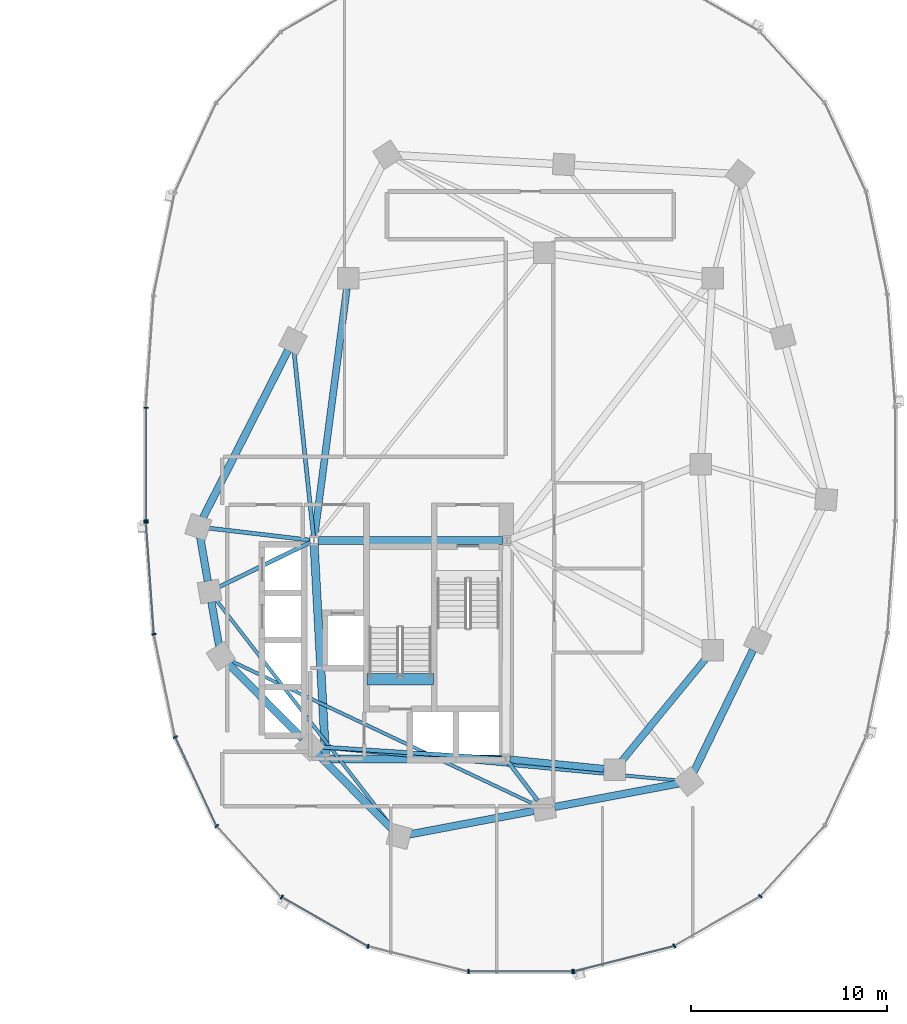
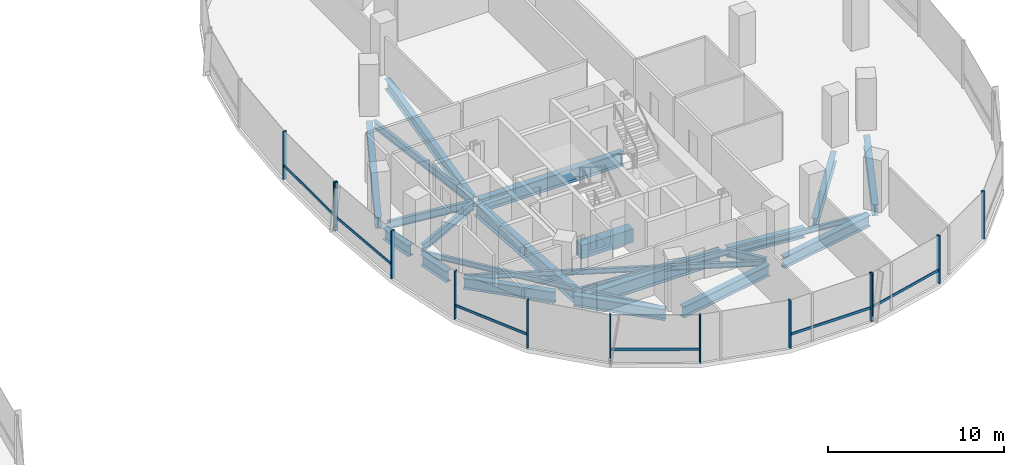
# One storey, part 5 of 20: 23 beams, 19 members, 3 elements without a shape of their own.
"""IFC4 building model written with IfcOpenShell, lengths in metres."""

from ifc_helpers import new_model, si_unit, direction, frame, origin, origin_2d, place, context, subcontext, project, spatial, rectangle, i_section, extrude, material, material_profile, profile_set, type_object, element, aggregate, save


model = new_model("IFC4")

# Units and contexts
model_context = context("Model", 3, precision=1e-05, world=origin(), true_north=direction((0.0, 1.0)))
body_context = subcontext(model_context, "Body", "Model", "MODEL_VIEW")
ifc_project = project(units=[si_unit("LENGTHUNIT", "METRE"), si_unit("AREAUNIT", "SQUARE_METRE"), si_unit("VOLUMEUNIT", "CUBIC_METRE"), si_unit("PLANEANGLEUNIT", "RADIAN"), si_unit("MASSUNIT", "GRAM", prefix="KILO"), si_unit("THERMODYNAMICTEMPERATUREUNIT", "KELVIN"), si_unit("POWERUNIT", "WATT")], contexts=[model_context])

# Site, building, storey
site_placement = place(None, origin())
site = spatial("IfcSite", under=ifc_project, at=site_placement, CompositionType="ELEMENT")
building_placement = place(site_placement, origin())
building = spatial("IfcBuilding", under=site, at=building_placement, Name="Cundina Bronze Exchange", CompositionType="ELEMENT")
storey_placement = place(building_placement, frame((0.0, 0.0, 128.60009765625)))
storey = spatial("IfcBuildingStorey", under=building, at=storey_placement, Name="L33", CompositionType="ELEMENT", Elevation=128.60009765625)

# Beams
ifc_material_1 = material(Name="Concrete C60/75", Category="concrete")
ifc_material_profile_1 = material_profile(ifc_material_1, rectangle(XDim=0.60009765625, YDim=0.949951171875, at=origin_2d()), Name="RC600X950", Category="concrete")
ifc_profile_set_1 = profile_set([ifc_material_profile_1], Name="Concrete C60/75")
beam_type_1 = type_object("IfcBeamType", Name="BM-COUP-RC950", PredefinedType="LINTEL", material=ifc_profile_set_1)
beam_1_placement = place(storey_placement, frame((24.159912109375, -10.97998046875, -0.47509765625), z_axis=(1.0, 0.0, 0.0), x_axis=(0.0, 1.0, 0.0)))
element("IfcBeam", 1, at=beam_1_placement, inside=storey, type_object=beam_type_1, Name="L33 Stair E2 Landing Header Beam", PredefinedType="LINTEL", context=body_context, shape_type="SweptSolid", body=[
    extrude(rectangle(XDim=0.60009765625, YDim=0.949951171875, at=origin_2d()), origin(), (0.0, 0.0, 1.0), 3.400146484375),
])
ifc_material_2 = material(Name="Steel ASTM A992 Grade 50", Category="steel")
ifc_material_profile_2 = material_profile(ifc_material_2, i_section(OverallWidth=0.2099609375, OverallDepth=0.532958984375, WebThickness=0.01025390625, FlangeThickness=0.015625, FilletRadius=0.013916015625, at=origin_2d()), Name="W21X62", Category="steel")
ifc_profile_set_2 = profile_set([ifc_material_profile_2], Name="Steel ASTM A992 Grade 50")
beam_type_2 = type_object("IfcBeamType", Name="BM-FLR-W21B", PredefinedType="BEAM", material=ifc_profile_set_2)
beam_2_placement = place(storey_placement, frame((21.247314453125, -3.8759765625, -0.566650390625), z_axis=(-0.993035701683, 0.117813815752, 0.0), x_axis=(-0.117813815752, -0.993035701683, 0.0)))
element("IfcBeam", 2, at=beam_2_placement, inside=storey, type_object=beam_type_2, Name="L33 Leg E Chordal Floor Beam 00", PredefinedType="BEAM", context=body_context, shape_type="SweptSolid", body=[
    extrude(i_section(OverallWidth=0.2099609375, OverallDepth=0.532958984375, WebThickness=0.01025390625, FlangeThickness=0.015625, FilletRadius=0.013916015625, at=origin_2d()), origin(), (0.0, 0.0, 1.0), 5.19921875),
])
beam_3_placement = place(storey_placement, frame((21.2666015625, -3.989501953125, -0.566650390625), z_axis=(-0.898607246385, -0.438753936443, 0.0), x_axis=(0.438753936443, -0.898607246385, 0.0)))
element("IfcBeam", 3, at=beam_3_placement, inside=storey, type_object=beam_type_2, Name="L33 Leg E Chordal Floor Beam 01", PredefinedType="BEAM", context=body_context, shape_type="SweptSolid", body=[
    extrude(i_section(OverallWidth=0.2099609375, OverallDepth=0.532958984375, WebThickness=0.01025390625, FlangeThickness=0.015625, FilletRadius=0.013916015625, at=origin_2d()), origin(), (0.0, 0.0, 1.0), 5.183837890625),
])
beam_4_placement = place(storey_placement, frame((31.04638671875, -15.036865234375, -0.566650390625), z_axis=(-0.997892901568, 0.064882640211, 0.0), x_axis=(-0.064882640211, -0.997892901568, 0.0)))
element("IfcBeam", 4, at=beam_4_placement, inside=storey, type_object=beam_type_2, Name="L33 Leg E Chordal Floor Beam 03", PredefinedType="BEAM", context=body_context, shape_type="SweptSolid", body=[
    extrude(i_section(OverallWidth=0.2099609375, OverallDepth=0.532958984375, WebThickness=0.01025390625, FlangeThickness=0.015625, FilletRadius=0.013916015625, at=origin_2d()), origin(), (0.0, 0.0, 1.0), 9.279052734375),
])
beam_5_placement = place(storey_placement, frame((31.373779296875, -15.2119140625, -0.566650390625), z_axis=(0.607490490457, -0.79432695032, 0.0), x_axis=(0.79432695032, 0.607490490457, 0.0)))
element("IfcBeam", 5, at=beam_5_placement, inside=storey, type_object=beam_type_2, Name="L33 Leg E Chordal Floor Beam 05", PredefinedType="BEAM", context=body_context, shape_type="SweptSolid", body=[
    extrude(i_section(OverallWidth=0.2099609375, OverallDepth=0.532958984375, WebThickness=0.01025390625, FlangeThickness=0.015625, FilletRadius=0.013916015625, at=origin_2d()), origin(), (0.0, 0.0, 1.0), 2.46826171875),
])
beam_6_placement = place(storey_placement, frame((21.4287109375, -3.697021484375, -0.566650390625), z_axis=(-0.104822364957, 0.994490961148, 0.0), x_axis=(-0.994490961148, -0.104822364957, 0.0)))
element("IfcBeam", 6, at=beam_6_placement, inside=storey, type_object=beam_type_2, Name="L33 Leg E Chordal Floor Beam 13", PredefinedType="BEAM", context=body_context, shape_type="SweptSolid", body=[
    extrude(i_section(OverallWidth=0.2099609375, OverallDepth=0.532958984375, WebThickness=0.01025390625, FlangeThickness=0.015625, FilletRadius=0.013916015625, at=origin_2d()), origin(), (0.0, 0.0, 1.0), 9.514404296875),
])
ifc_material_profile_3 = material_profile(ifc_material_2, i_section(OverallWidth=0.172119140625, OverallDepth=0.35791015625, WebThickness=0.0078125, FlangeThickness=0.01318359375, FilletRadius=0.010009765625, at=origin_2d()), Name="W14X38", Category="steel")
ifc_profile_set_3 = profile_set([ifc_material_profile_3], Name="Steel ASTM A992 Grade 50")
beam_type_3 = type_object("IfcBeamType", Name="BM-JST-W14", PredefinedType="JOIST", material=ifc_profile_set_3)
beam_7_placement = place(storey_placement, frame((16.454345703125, -6.92529296875, -0.47900390625), z_axis=(0.612065218806, -0.790807288742, 0.0), x_axis=(0.790807288742, 0.612065218806, 0.0)))
element("IfcBeam", 7, at=beam_7_placement, inside=storey, type_object=beam_type_3, Name="L33 Leg E Lobe Floor Joist 01-04", PredefinedType="JOIST", context=body_context, shape_type="SweptSolid", body=[
    extrude(i_section(OverallWidth=0.172119140625, OverallDepth=0.35791015625, WebThickness=0.0078125, FlangeThickness=0.01318359375, FilletRadius=0.010009765625, at=origin_2d()), origin(), (0.0, 0.0, 1.0), 14.73095703125),
])
beam_8_placement = place(storey_placement, frame((17.186279296875, -10.02978515625, -0.47900390625), z_axis=(0.904069270633, -0.427385954259, 0.0), x_axis=(0.427385954259, 0.904069270633, 0.0)))
element("IfcBeam", 8, at=beam_8_placement, inside=storey, type_object=beam_type_3, Name="L33 Leg E Lobe Floor Joist 02-05", PredefinedType="JOIST", context=body_context, shape_type="SweptSolid", body=[
    extrude(i_section(OverallWidth=0.172119140625, OverallDepth=0.35791015625, WebThickness=0.0078125, FlangeThickness=0.01318359375, FilletRadius=0.010009765625, at=origin_2d()), origin(), (0.0, 0.0, 1.0), 17.175048828125),
])
beam_9_placement = place(storey_placement, frame((21.78564453125, -14.44970703125, -0.47900390625), z_axis=(0.995700674022, -0.092629194921, 0.0), x_axis=(0.092629194921, 0.995700674022, 0.0)))
element("IfcBeam", 9, at=beam_9_placement, inside=storey, type_object=beam_type_3, Name="L33 Leg E Lobe Floor Joist 03-06", PredefinedType="JOIST", context=body_context, shape_type="SweptSolid", body=[
    extrude(i_section(OverallWidth=0.172119140625, OverallDepth=0.35791015625, WebThickness=0.0078125, FlangeThickness=0.01318359375, FilletRadius=0.010009765625, at=origin_2d()), origin(), (0.0, 0.0, 1.0), 18.357421875),
])
ifc_material_profile_4 = material_profile(ifc_material_2, i_section(OverallWidth=0.35498046875, OverallDepth=0.695068359375, WebThickness=0.015380859375, FlangeThickness=0.02490234375, FilletRadius=0.01806640625, at=origin_2d()), Name="W27X146", Category="steel")
ifc_profile_set_4 = profile_set([ifc_material_profile_4], Name="Steel ASTM A992 Grade 50")
beam_type_4 = type_object("IfcBeamType", Name="BM-RING-W27", PredefinedType="USERDEFINED", material=ifc_profile_set_4)
beam_10_placement = place(storey_placement, frame((31.452880859375, -15.070068359375, -0.647705078125), z_axis=(0.995126271817, -0.098608839051, 0.0), x_axis=(0.098608839051, 0.995126271817, 0.0)))
element("IfcBeam", 10, at=beam_10_placement, inside=storey, type_object=beam_type_4, Name="L33 E Inner Structural Ring Girder 01", ObjectType="GIRDER", PredefinedType="USERDEFINED", context=body_context, shape_type="SweptSolid", body=[
    extrude(i_section(OverallWidth=0.35498046875, OverallDepth=0.695068359375, WebThickness=0.015380859375, FlangeThickness=0.02490234375, FilletRadius=0.01806640625, at=origin_2d()), origin(), (0.0, 0.0, 1.0), 4.83544921875),
])
beam_11_placement = place(storey_placement, frame((37.14111328125, -15.183837890625, -0.647705078125), z_axis=(0.633926549035, 0.773393257295, 0.0), x_axis=(-0.773393257295, 0.633926549035, 0.0)))
element("IfcBeam", 11, at=beam_11_placement, inside=storey, type_object=beam_type_4, Name="L33 E Inner Structural Ring Girder 02", ObjectType="GIRDER", PredefinedType="USERDEFINED", context=body_context, shape_type="SweptSolid", body=[
    extrude(i_section(OverallWidth=0.35498046875, OverallDepth=0.695068359375, WebThickness=0.015380859375, FlangeThickness=0.02490234375, FilletRadius=0.01806640625, at=origin_2d()), origin(), (0.0, 0.0, 1.0), 6.811279296875),
])
beam_12_placement = place(storey_placement, frame((23.13037109375, 8.966552734375, -0.647705078125), z_axis=(-0.129507526533, -0.99157843894, 0.0), x_axis=(0.99157843894, -0.129507526533, 0.0)))
element("IfcBeam", 12, at=beam_12_placement, inside=storey, type_object=beam_type_4, Name="L33 E Inner Structural Ring Girder 07", ObjectType="GIRDER", PredefinedType="USERDEFINED", context=body_context, shape_type="SweptSolid", body=[
    extrude(i_section(OverallWidth=0.35498046875, OverallDepth=0.695068359375, WebThickness=0.015380859375, FlangeThickness=0.02490234375, FilletRadius=0.01806640625, at=origin_2d()), origin(), (0.0, 0.0, 1.0), 12.77197265625),
])
ifc_material_profile_5 = material_profile(ifc_material_2, i_section(OverallWidth=0.381103515625, OverallDepth=0.77294921875, WebThickness=0.0166015625, FlangeThickness=0.027099609375, FilletRadius=0.01904296875, at=origin_2d()), Name="W30X173", Category="steel")
ifc_profile_set_5 = profile_set([ifc_material_profile_5], Name="Steel ASTM A992 Grade 50")
beam_type_5 = type_object("IfcBeamType", Name="BM-RING-W30", PredefinedType="USERDEFINED", material=ifc_profile_set_5)
for number, where, z_axis, x_axis, name in (
    (13, (15.642333984375, -3.72998046875, -0.6865234375), (0.171690078326, -0.985151012284, 0.0), (0.985151012284, 0.171690078326, 0.0), "L33 E Perimeter Ring Girder 00"),
    (14, (16.21728515625, -7.030029296875, -0.6865234375), (0.171690078326, -0.985151012284, 0.0), (0.985151012284, 0.171690078326, 0.0), "L33 E Perimeter Ring Girder 01"),
):
    element("IfcBeam", number, at=place(storey_placement, frame(where, z_axis=z_axis, x_axis=x_axis)), inside=storey, type_object=beam_type_5, Name=name, ObjectType="GIRDER", PredefinedType="USERDEFINED", context=body_context, shape_type="SweptSolid", body=[
        extrude(i_section(OverallWidth=0.381103515625, OverallDepth=0.77294921875, WebThickness=0.0166015625, FlangeThickness=0.027099609375, FilletRadius=0.01904296875, at=origin_2d()), origin(), (0.0, 0.0, 1.0), 2.273681640625),
    ])
for number, where, z_axis, x_axis, name in (
    (15, (17.078369140625, -10.1826171875, -0.6865234375), (0.703226342126, -0.7109660412, 0.0), (0.7109660412, 0.703226342126, 0.0), "L33 E Perimeter Ring Girder 02"),
    (16, (21.62841796875, -14.782470703125, -0.6865234375), (0.703226342126, -0.7109660412, 0.0), (0.7109660412, 0.703226342126, 0.0), "L33 E Perimeter Ring Girder 03"),
):
    element("IfcBeam", number, at=place(storey_placement, frame(where, z_axis=z_axis, x_axis=x_axis)), inside=storey, type_object=beam_type_5, Name=name, ObjectType="GIRDER", PredefinedType="USERDEFINED", context=body_context, shape_type="SweptSolid", body=[
        extrude(i_section(OverallWidth=0.381103515625, OverallDepth=0.77294921875, WebThickness=0.0166015625, FlangeThickness=0.027099609375, FilletRadius=0.01904296875, at=origin_2d()), origin(), (0.0, 0.0, 1.0), 5.39404296875),
    ])
for number, where, z_axis, x_axis, name in (
    (17, (26.32861328125, -18.89990234375, -0.6865234375), (0.98257117919, 0.185886733861, 0.0), (-0.185886733861, 0.98257117919, 0.0), "L33 E Perimeter Ring Girder 04"),
    (18, (33.728515625, -17.5, -0.6865234375), (0.98257117919, 0.185886733861, 0.0), (-0.185886733861, 0.98257117919, 0.0), "L33 E Perimeter Ring Girder 05"),
):
    element("IfcBeam", number, at=place(storey_placement, frame(where, z_axis=z_axis, x_axis=x_axis)), inside=storey, type_object=beam_type_5, Name=name, ObjectType="GIRDER", PredefinedType="USERDEFINED", context=body_context, shape_type="SweptSolid", body=[
        extrude(i_section(OverallWidth=0.381103515625, OverallDepth=0.77294921875, WebThickness=0.0166015625, FlangeThickness=0.027099609375, FilletRadius=0.01904296875, at=origin_2d()), origin(), (0.0, 0.0, 1.0), 6.455322265625),
    ])
beam_13_placement = place(storey_placement, frame((40.835205078125, -15.716064453125, -0.6865234375), z_axis=(0.437193894283, 0.899367276924, 0.0), x_axis=(-0.899367276924, 0.437193894283, 0.0)))
element("IfcBeam", 19, at=beam_13_placement, inside=storey, type_object=beam_type_5, Name="L33 E Perimeter Ring Girder 06", ObjectType="GIRDER", PredefinedType="USERDEFINED", context=body_context, shape_type="SweptSolid", body=[
    extrude(i_section(OverallWidth=0.381103515625, OverallDepth=0.77294921875, WebThickness=0.0166015625, FlangeThickness=0.027099609375, FilletRadius=0.01904296875, at=origin_2d()), origin(), (0.0, 0.0, 1.0), 6.929443359375),
])
beam_14_placement = place(storey_placement, frame((20.13134765625, 5.8203125, -0.6865234375), z_axis=(-0.452832332744, -0.891595692241, 0.0), x_axis=(0.891595692241, -0.452832332744, 0.0)))
element("IfcBeam", 20, at=beam_14_placement, inside=storey, type_object=beam_type_5, Name="L33 E Perimeter Ring Girder 13", ObjectType="GIRDER", PredefinedType="USERDEFINED", context=body_context, shape_type="SweptSolid", body=[
    extrude(i_section(OverallWidth=0.381103515625, OverallDepth=0.77294921875, WebThickness=0.0166015625, FlangeThickness=0.027099609375, FilletRadius=0.01904296875, at=origin_2d()), origin(), (0.0, 0.0, 1.0), 9.578857421875),
])
ifc_material_profile_6 = material_profile(ifc_material_2, i_section(OverallWidth=0.41796875, OverallDepth=0.927001953125, WebThickness=0.019287109375, FlangeThickness=0.031982421875, FilletRadius=0.02392578125, at=origin_2d()), Name="W36X231", Category="steel")
ifc_profile_set_6 = profile_set([ifc_material_profile_6], Name="Steel ASTM A992 Grade 50")
beam_type_6 = type_object("IfcBeamType", Name="BM-WRN-W36B", PredefinedType="USERDEFINED", material=ifc_profile_set_6)
beam_15_placement = place(storey_placement, frame((31.095947265625, -3.89990234375, -0.763671875), z_axis=(-1.0, 0.0, 0.0), x_axis=(0.0, -1.0, 0.0)))
element("IfcBeam", 21, at=beam_15_placement, inside=storey, type_object=beam_type_6, Name="L33 E Core Perimeter Tie Girder 1", ObjectType="GIRDER", PredefinedType="USERDEFINED", context=body_context, shape_type="SweptSolid", body=[
    extrude(i_section(OverallWidth=0.41796875, OverallDepth=0.927001953125, WebThickness=0.019287109375, FlangeThickness=0.031982421875, FilletRadius=0.02392578125, at=origin_2d()), origin(), (0.0, 0.0, 1.0), 9.44189453125),
])
beam_16_placement = place(storey_placement, frame((21.4609375, -4.103759765625, -0.763671875), z_axis=(0.053739193498, -0.998555005537, 0.0), x_axis=(0.998555005537, 0.053739193498, 0.0)))
element("IfcBeam", 22, at=beam_16_placement, inside=storey, type_object=beam_type_6, Name="L33 E Core Perimeter Tie Girder 2", ObjectType="GIRDER", PredefinedType="USERDEFINED", context=body_context, shape_type="SweptSolid", body=[
    extrude(i_section(OverallWidth=0.41796875, OverallDepth=0.927001953125, WebThickness=0.019287109375, FlangeThickness=0.031982421875, FilletRadius=0.02392578125, at=origin_2d()), origin(), (0.0, 0.0, 1.0), 10.758056640625),
])
beam_17_placement = place(storey_placement, frame((22.25390625, -15.050048828125, -0.763671875), z_axis=(1.0, 0.0, 0.0), x_axis=(0.0, 1.0, 0.0)))
element("IfcBeam", 23, at=beam_17_placement, inside=storey, type_object=beam_type_6, Name="L33 E Core Perimeter Tie Girder 3", ObjectType="GIRDER", PredefinedType="USERDEFINED", context=body_context, shape_type="SweptSolid", body=[
    extrude(i_section(OverallWidth=0.41796875, OverallDepth=0.927001953125, WebThickness=0.019287109375, FlangeThickness=0.031982421875, FilletRadius=0.02392578125, at=origin_2d()), origin(), (0.0, 0.0, 1.0), 8.7919921875),
])

# Curtain wall, members
ifc_material_3 = material(Name="Anodised Bronze Aluminium 6063-T6", Category="aluminium")
curtain_wall_type = type_object("IfcCurtainWallType", Name="CWS-TRD-MID", PredefinedType="NOTDEFINED", material=ifc_material_3)
curtain_wall_1_placement = place(storey_placement, origin())
curtain_wall_1 = element("IfcCurtainWall", 24, at=curtain_wall_1_placement, inside=storey, type_object=curtain_wall_type, Name="L33 CW-03 Curtain Wall Run CWR-L33-E2", PredefinedType="NOTDEFINED")
ifc_material_profile_7 = material_profile(ifc_material_3, rectangle(XDim=0.074951171875, YDim=0.219970703125, at=origin_2d()), Name="AL75X220", Category="aluminium")
ifc_profile_set_7 = profile_set([ifc_material_profile_7], Name="Anodised Bronze Aluminium 6063-T6")
member_type_1 = type_object("IfcMemberType", Name="CWM-MUL-220", PredefinedType="MULLION", material=ifc_profile_set_7)
member_1_placement = place(storey_placement, frame((12.8720703125, 2.880615234375, 0.0), z_axis=(0.0, 0.0, 1.0), x_axis=(0.0, -1.0, 0.0)))
member_1 = element("IfcMember", 25, at=member_1_placement, type_object=member_type_1, Name="CW-03 Mullion 7", PredefinedType="MULLION", context=body_context, shape_type="SweptSolid", body=[
    extrude(rectangle(XDim=0.074951171875, YDim=0.219970703125, at=origin_2d()), origin(), (0.0, 0.0, 1.0), 3.31982421875),
])
member_2_placement = place(storey_placement, frame((12.8720703125, -2.880615234375, 0.0), z_axis=(0.0, 0.0, 1.0), x_axis=(0.0, -1.0, 0.0)))
member_2 = element("IfcMember", 26, at=member_2_placement, type_object=member_type_1, Name="CW-03 End Mullion", PredefinedType="MULLION", context=body_context, shape_type="SweptSolid", body=[
    extrude(rectangle(XDim=0.074951171875, YDim=0.219970703125, at=origin_2d()), origin(), (0.0, 0.0, 1.0), 3.31982421875),
])

curtain_wall_2_placement = place(storey_placement, origin())
curtain_wall_2 = element("IfcCurtainWall", 27, at=curtain_wall_2_placement, inside=storey, type_object=curtain_wall_type, Name="L33 CW-03 Curtain Wall Run CWR-L33-E3", PredefinedType="NOTDEFINED")
member_3_placement = place(storey_placement, frame((12.87548828125, -2.976318359375, 0.0), z_axis=(0.0, 0.0, 1.0), x_axis=(0.070278787473, -0.997527389113, 0.0)))
member_3 = element("IfcMember", 28, at=member_3_placement, type_object=member_type_1, Name="CW-03 Mullion 1", PredefinedType="MULLION", context=body_context, shape_type="SweptSolid", body=[
    extrude(rectangle(XDim=0.074951171875, YDim=0.219970703125, at=origin_2d()), origin(), (0.0, 0.0, 1.0), 3.31982421875),
])
member_4_placement = place(storey_placement, frame((13.282958984375, -8.67822265625, 0.0), z_axis=(0.0, 0.0, 1.0), x_axis=(0.201419845156, -0.979505000486, 0.0)))
member_4 = element("IfcMember", 29, at=member_4_placement, type_object=member_type_1, Name="CW-03 Mullion 2", PredefinedType="MULLION", context=body_context, shape_type="SweptSolid", body=[
    extrude(rectangle(XDim=0.074951171875, YDim=0.219970703125, at=origin_2d()), origin(), (0.0, 0.0, 1.0), 3.31982421875),
])
member_5_placement = place(storey_placement, frame((14.3720703125, -13.931884765625, 0.0), z_axis=(0.0, 0.0, 1.0), x_axis=(0.42087749791, -0.907117485088, 0.0)))
member_5 = element("IfcMember", 30, at=member_5_placement, type_object=member_type_1, Name="CW-03 Mullion 3", PredefinedType="MULLION", context=body_context, shape_type="SweptSolid", body=[
    extrude(rectangle(XDim=0.074951171875, YDim=0.219970703125, at=origin_2d()), origin(), (0.0, 0.0, 1.0), 3.31982421875),
])
member_6_placement = place(storey_placement, frame((16.491455078125, -18.47705078125, 0.0), z_axis=(0.0, 0.0, 1.0), x_axis=(0.674302387584, -0.738455340626, 0.0)))
member_6 = element("IfcMember", 31, at=member_6_placement, type_object=member_type_1, Name="CW-03 Mullion 4", PredefinedType="MULLION", context=body_context, shape_type="SweptSolid", body=[
    extrude(rectangle(XDim=0.074951171875, YDim=0.219970703125, at=origin_2d()), origin(), (0.0, 0.0, 1.0), 3.31982421875),
])
member_7_placement = place(storey_placement, frame((19.810302734375, -22.097412109375, 0.0), z_axis=(0.0, 0.0, 1.0), x_axis=(0.867070701164, -0.498185105339, 0.0)))
member_7 = element("IfcMember", 32, at=member_7_placement, type_object=member_type_1, Name="CW-03 Mullion 5", PredefinedType="MULLION", context=body_context, shape_type="SweptSolid", body=[
    extrude(rectangle(XDim=0.074951171875, YDim=0.219970703125, at=origin_2d()), origin(), (0.0, 0.0, 1.0), 3.31982421875),
])
member_8_placement = place(storey_placement, frame((24.21484375, -24.61669921875, 0.0), z_axis=(0.0, 0.0, 1.0), x_axis=(0.969488149345, -0.245138182011, 0.0)))
member_8 = element("IfcMember", 33, at=member_8_placement, type_object=member_type_1, Name="CW-03 Mullion 6", PredefinedType="MULLION", context=body_context, shape_type="SweptSolid", body=[
    extrude(rectangle(XDim=0.074951171875, YDim=0.219970703125, at=origin_2d()), origin(), (0.0, 0.0, 1.0), 3.31982421875),
])
member_9_placement = place(storey_placement, frame((29.345458984375, -25.905029296875, 0.0), z_axis=(0.0, 0.0, 1.0), x_axis=(1.0, 0.0, 0.0)))
member_9 = element("IfcMember", 34, at=member_9_placement, type_object=member_type_1, Name="CW-03 Mullion 7", PredefinedType="MULLION", context=body_context, shape_type="SweptSolid", body=[
    extrude(rectangle(XDim=0.074951171875, YDim=0.219970703125, at=origin_2d()), origin(), (0.0, 0.0, 1.0), 3.31982421875),
])
member_10_placement = place(storey_placement, frame((34.654541015625, -25.905029296875, 0.0), z_axis=(0.0, 0.0, 1.0), x_axis=(1.0, 0.0, 0.0)))
member_10 = element("IfcMember", 35, at=member_10_placement, type_object=member_type_1, Name="CW-03 End Mullion", PredefinedType="MULLION", context=body_context, shape_type="SweptSolid", body=[
    extrude(rectangle(XDim=0.074951171875, YDim=0.219970703125, at=origin_2d()), origin(), (0.0, 0.0, 1.0), 3.31982421875),
])

curtain_wall_3_placement = place(storey_placement, origin())
curtain_wall_3 = element("IfcCurtainWall", 36, at=curtain_wall_3_placement, inside=storey, type_object=curtain_wall_type, Name="L33 CW-03 Curtain Wall Run CWR-L33-E4", PredefinedType="NOTDEFINED")
member_11_placement = place(storey_placement, frame((34.72607421875, -25.89599609375, 0.0), z_axis=(0.0, 0.0, 1.0), x_axis=(0.969488149345, 0.245138182011, 0.0)))
member_11 = element("IfcMember", 37, at=member_11_placement, type_object=member_type_1, Name="CW-03 Mullion 1", PredefinedType="MULLION", context=body_context, shape_type="SweptSolid", body=[
    extrude(rectangle(XDim=0.074951171875, YDim=0.219970703125, at=origin_2d()), origin(), (0.0, 0.0, 1.0), 3.31982421875),
])
member_12_placement = place(storey_placement, frame((39.848876953125, -24.591064453125, 0.0), z_axis=(0.0, 0.0, 1.0), x_axis=(0.867070701164, 0.498185105339, 0.0)))
member_12 = element("IfcMember", 38, at=member_12_placement, type_object=member_type_1, Name="CW-03 Mullion 2", PredefinedType="MULLION", context=body_context, shape_type="SweptSolid", body=[
    extrude(rectangle(XDim=0.074951171875, YDim=0.219970703125, at=origin_2d()), origin(), (0.0, 0.0, 1.0), 3.31982421875),
])
member_13_placement = place(storey_placement, frame((44.239501953125, -22.0576171875, 0.0), z_axis=(0.0, 0.0, 1.0), x_axis=(0.674302387584, 0.738455340626, 0.0)))
member_13 = element("IfcMember", 39, at=member_13_placement, type_object=member_type_1, Name="CW-03 Mullion 3", PredefinedType="MULLION", context=body_context, shape_type="SweptSolid", body=[
    extrude(rectangle(XDim=0.074951171875, YDim=0.219970703125, at=origin_2d()), origin(), (0.0, 0.0, 1.0), 3.31982421875),
])

# Member
ifc_material_profile_8 = material_profile(ifc_material_3, rectangle(XDim=0.070068359375, YDim=0.179931640625, at=origin_2d()), Name="AL70X180", Category="aluminium")
ifc_profile_set_8 = profile_set([ifc_material_profile_8], Name="Anodised Bronze Aluminium 6063-T6")
member_type_2 = type_object("IfcMemberType", Name="CWM-TRN-180", PredefinedType="USERDEFINED", material=ifc_profile_set_8)
member_14_placement = place(storey_placement, frame((12.8720703125, 2.839111328125, 0.919921875), z_axis=(0.0, -1.0, 0.0), x_axis=(1.0, 0.0, 0.0)))
member_14 = element("IfcMember", 40, at=member_14_placement, type_object=member_type_2, Name="CW-03 Spandrel Transom 7", ObjectType="TRANSOM", PredefinedType="USERDEFINED", context=body_context, shape_type="SweptSolid", body=[
    extrude(rectangle(XDim=0.070068359375, YDim=0.179931640625, at=origin_2d()), origin(), (0.0, 0.0, 1.0), 5.67822265625),
])

aggregate(curtain_wall_1, [member_1, member_2, member_14])

member_15_placement = place(storey_placement, frame((12.87841796875, -3.017333984375, 0.919921875), z_axis=(0.070260714471, -0.997528662246, 0.0), x_axis=(0.997528662246, 0.070260714471, 0.0)))
member_15 = element("IfcMember", 41, at=member_15_placement, type_object=member_type_2, Name="CW-03 Spandrel Transom 1", ObjectType="TRANSOM", PredefinedType="USERDEFINED", context=body_context, shape_type="SweptSolid", body=[
    extrude(rectangle(XDim=0.070068359375, YDim=0.179931640625, at=origin_2d()), origin(), (0.0, 0.0, 1.0), 5.629150390625),
])

member_16_placement = place(storey_placement, frame((14.389404296875, -13.96923828125, 0.919921875), z_axis=(0.420811422796, -0.907148139195, 0.0), x_axis=(0.907148139195, 0.420811422796, 0.0)))
member_16 = element("IfcMember", 42, at=member_16_placement, type_object=member_type_2, Name="CW-03 Spandrel Transom 3", ObjectType="TRANSOM", PredefinedType="USERDEFINED", context=body_context, shape_type="SweptSolid", body=[
    extrude(rectangle(XDim=0.070068359375, YDim=0.179931640625, at=origin_2d()), origin(), (0.0, 0.0, 1.0), 4.95166015625),
])

member_17_placement = place(storey_placement, frame((19.845947265625, -22.117919921875, 0.919921875), z_axis=(0.867097475651, -0.498138502546, 0.0), x_axis=(0.498138502546, 0.867097475651, 0.0)))
member_17 = element("IfcMember", 43, at=member_17_placement, type_object=member_type_2, Name="CW-03 Spandrel Transom 5", ObjectType="TRANSOM", PredefinedType="USERDEFINED", context=body_context, shape_type="SweptSolid", body=[
    extrude(rectangle(XDim=0.070068359375, YDim=0.179931640625, at=origin_2d()), origin(), (0.0, 0.0, 1.0), 5.00634765625),
])

member_18_placement = place(storey_placement, frame((29.38671875, -25.905029296875, 0.919921875), z_axis=(1.0, 0.0, 0.0), x_axis=(0.0, 1.0, 0.0)))
member_18 = element("IfcMember", 44, at=member_18_placement, type_object=member_type_2, Name="CW-03 Spandrel Transom 7", ObjectType="TRANSOM", PredefinedType="USERDEFINED", context=body_context, shape_type="SweptSolid", body=[
    extrude(rectangle(XDim=0.070068359375, YDim=0.179931640625, at=origin_2d()), origin(), (0.0, 0.0, 1.0), 5.2265625),
])

aggregate(curtain_wall_2, [member_3, member_15, member_4, member_5, member_16, member_6, member_7, member_17, member_8, member_9, member_10, member_18])

member_19_placement = place(storey_placement, frame((34.76611328125, -25.885986328125, 0.919921875), z_axis=(0.969483968866, 0.245154714644, 0.0), x_axis=(-0.245154714644, 0.969483968866, 0.0)))
member_19 = element("IfcMember", 45, at=member_19_placement, type_object=member_type_2, Name="CW-03 Spandrel Transom 1", ObjectType="TRANSOM", PredefinedType="USERDEFINED", context=body_context, shape_type="SweptSolid", body=[
    extrude(rectangle(XDim=0.070068359375, YDim=0.179931640625, at=origin_2d()), origin(), (0.0, 0.0, 1.0), 5.21826171875),
])

aggregate(curtain_wall_3, [member_11, member_19, member_12, member_13])

save(model, "model.ifc")
